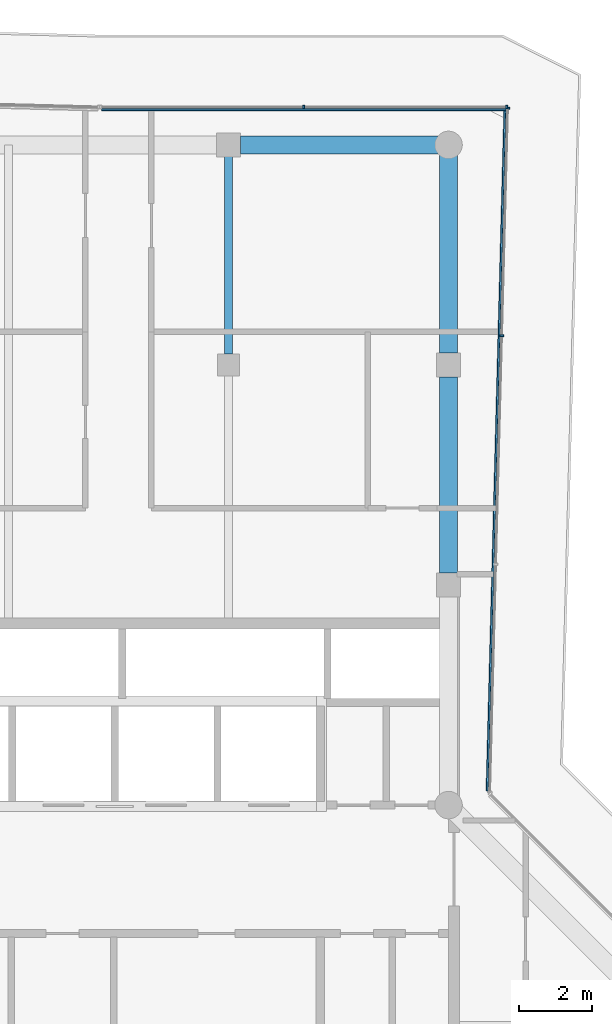
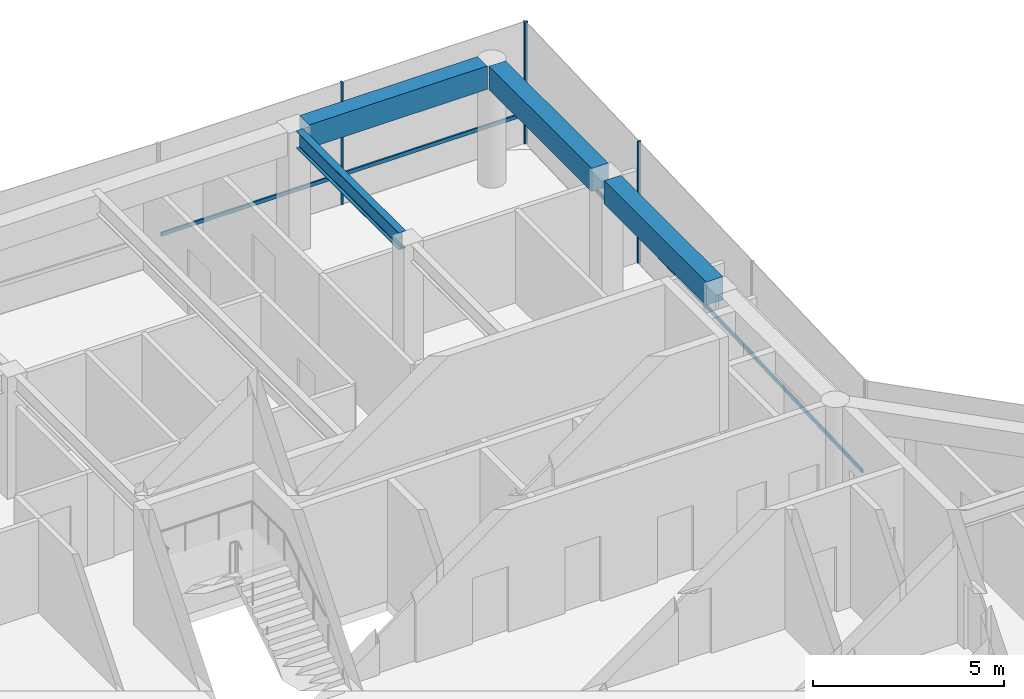
# One storey, part 9 of 15: 6 members, 4 beams, 2 elements without a shape of their own.
"""IFC4 building model written with IfcOpenShell, lengths in metres."""

from ifc_helpers import new_model, si_unit, direction, frame, origin, origin_2d, place, context, subcontext, project, spatial, rectangle, i_section, extrude, material, layer, layer_set, material_profile, profile_set, type_object, element, aggregate, save


model = new_model("IFC4")

# Units and contexts
model_context = context("Model", 3, precision=1e-05, world=origin(), true_north=direction((0.0, 1.0)))
body_context = subcontext(model_context, "Body", "Model", "MODEL_VIEW")
ifc_project = project(units=[si_unit("LENGTHUNIT", "METRE"), si_unit("AREAUNIT", "SQUARE_METRE"), si_unit("VOLUMEUNIT", "CUBIC_METRE"), si_unit("PLANEANGLEUNIT", "RADIAN"), si_unit("MASSUNIT", "GRAM", prefix="KILO")], contexts=[model_context])

# Site, building, storey
site_placement = place(None, origin())
site = spatial("IfcSite", under=ifc_project, at=site_placement, CompositionType="ELEMENT")
building_placement = place(site_placement, origin())
building = spatial("IfcBuilding", under=site, at=building_placement, Name="Welwitschia Terrace Campus", CompositionType="ELEMENT")
storey_placement = place(building_placement, frame((0.0, 0.0, 339.800048828125)))
storey = spatial("IfcBuildingStorey", under=building, at=storey_placement, Name="L76", CompositionType="ELEMENT", Elevation=339.800048828125)

# Beam
ifc_material_1 = material(Name="Steel S355", Category="steel")
ifc_material_profile_1 = material_profile(ifc_material_1, i_section(OverallWidth=0.2099609375, OverallDepth=0.550048828125, WebThickness=0.010986328125, FlangeThickness=0.01708984375, FilletRadius=0.02392578125, at=origin_2d()))
ifc_profile_set_1 = profile_set([ifc_material_profile_1], Name="Steel S355")
beam_type_1 = type_object("IfcBeamType", Name="Interior girder IPE 550", PredefinedType="BEAM", material=ifc_profile_set_1)
beam_1_placement = place(storey_placement, frame((18.0, 32.300537109375, 3.625), z_axis=(0.0, 1.0, 0.0), x_axis=(-1.0, 0.0, 0.0)))
element("IfcBeam", 1, at=beam_1_placement, inside=storey, type_object=beam_type_1, Name="Girder GB7", PredefinedType="BEAM", context=body_context, shape_type="SweptSolid", body=[
    extrude(i_section(OverallWidth=0.2099609375, OverallDepth=0.550048828125, WebThickness=0.010986328125, FlangeThickness=0.01708984375, FilletRadius=0.02392578125, at=origin_2d()), origin(), (0.0, 0.0, 1.0), 5.384033203125),
])

# Curtain wall, members
ifc_material_2 = material(Name="Bronze anodised aluminium", Category="aluminium")
ifc_layer = layer(ifc_material_2, 0.10009765625)
ifc_layer_set = layer_set([ifc_layer], Name="Bronze anodised aluminium")
curtain_wall_type = type_object("IfcCurtainWallType", Name="Curtain wall CW5 crown 6000", PredefinedType="NOTDEFINED", material=ifc_layer_set)
curtain_wall_1_placement = place(storey_placement, origin())
curtain_wall_1 = element("IfcCurtainWall", 2, at=curtain_wall_1_placement, inside=storey, type_object=curtain_wall_type, Name="CW L76.7.0", PredefinedType="NOTDEFINED")
ifc_material_3 = material(Name="Bronze anodised aluminium", Category="aluminium")
ifc_material_profile_2 = material_profile(ifc_material_3, rectangle(XDim=0.10009765625, YDim=0.050048828125, at=origin_2d()))
ifc_profile_set_2 = profile_set([ifc_material_profile_2], Name="Bronze anodised aluminium")
member_type_1 = type_object("IfcMemberType", Name="Mullion 50x100", PredefinedType="MULLION", material=ifc_profile_set_2)
member_1_placement = place(storey_placement, frame((25.45068359375, 32.79736328125, 0.0), z_axis=(0.0, 0.0, 1.0), x_axis=(-0.999657324976, 0.026176948308, 0.0)))
member_1 = element("IfcMember", 3, at=member_1_placement, type_object=member_type_1, Name="Mullion L76.7.0.2", PredefinedType="MULLION", context=body_context, shape_type="SweptSolid", body=[
    extrude(rectangle(XDim=0.10009765625, YDim=0.050048828125, at=origin_2d()), origin(), (0.0, 0.0, 1.0), 3.89990234375),
])
member_2_placement = place(storey_placement, frame((25.61328125, 39.005126953125, 0.0), z_axis=(0.0, 0.0, 1.0), x_axis=(-0.999657324976, 0.026176948308, 0.0)))
member_2 = element("IfcMember", 4, at=member_2_placement, type_object=member_type_1, Name="Mullion L76.7.0.3", PredefinedType="MULLION", context=body_context, shape_type="SweptSolid", body=[
    extrude(rectangle(XDim=0.10009765625, YDim=0.050048828125, at=origin_2d()), origin(), (0.0, 0.0, 1.0), 3.89990234375),
])

curtain_wall_2_placement = place(storey_placement, origin())
curtain_wall_2 = element("IfcCurtainWall", 5, at=curtain_wall_2_placement, inside=storey, type_object=curtain_wall_type, Name="CW L76.8.0", PredefinedType="NOTDEFINED")
member_3_placement = place(storey_placement, frame((25.5888671875, 39.030029296875, 0.0), z_axis=(0.0, 0.0, 1.0), x_axis=(0.0, -1.0, 0.0)))
member_3 = element("IfcMember", 6, at=member_3_placement, type_object=member_type_1, Name="Mullion L76.8.0.0", PredefinedType="MULLION", context=body_context, shape_type="SweptSolid", body=[
    extrude(rectangle(XDim=0.10009765625, YDim=0.050048828125, at=origin_2d()), origin(), (0.0, 0.0, 1.0), 3.89990234375),
])
member_4_placement = place(storey_placement, frame((20.052001953125, 39.030029296875, 0.0), z_axis=(0.0, 0.0, 1.0), x_axis=(0.0, -1.0, 0.0)))
member_4 = element("IfcMember", 7, at=member_4_placement, type_object=member_type_1, Name="Mullion L76.8.0.1", PredefinedType="MULLION", context=body_context, shape_type="SweptSolid", body=[
    extrude(rectangle(XDim=0.10009765625, YDim=0.050048828125, at=origin_2d()), origin(), (0.0, 0.0, 1.0), 3.89990234375),
])

# Beams
ifc_material_4 = material(Name="Concrete C40/50", Category="concrete")
ifc_material_profile_3 = material_profile(ifc_material_4, rectangle(XDim=0.5, YDim=0.75, at=origin_2d()))
ifc_profile_set_3 = profile_set([ifc_material_profile_3], Name="Concrete C40/50")
beam_type_2 = type_object("IfcBeamType", Name="Ring spandrel 500x750", PredefinedType="SPANDREL", material=ifc_profile_set_3)
beam_2_placement = place(storey_placement, frame((24.0, 26.325439453125, 3.52490234375), z_axis=(0.0, 1.0, 0.0), x_axis=(-1.0, 0.0, 0.0)))
element("IfcBeam", 8, at=beam_2_placement, inside=storey, type_object=beam_type_2, Name="Spandrel SP5", PredefinedType="SPANDREL", context=body_context, shape_type="SweptSolid", body=[
    extrude(rectangle(XDim=0.5, YDim=0.75, at=origin_2d()), origin(), (0.0, 0.0, 1.0), 5.34912109375),
])
for number, where, z_axis, x_axis, name in (
    (9, (24.0, 32.325439453125, 3.52490234375), (0.0, 1.0, 0.0), (-1.0, 0.0, 0.0), "Spandrel SP5"),
    (10, (23.719482421875, 38.0, 3.52490234375), (-1.0, 0.0, 0.0), (0.0, -1.0, 0.0), "Spandrel SP5"),
):
    element("IfcBeam", number, at=place(storey_placement, frame(where, z_axis=z_axis, x_axis=x_axis)), inside=storey, type_object=beam_type_2, Name=name, PredefinedType="SPANDREL", context=body_context, shape_type="SweptSolid", body=[
        extrude(rectangle(XDim=0.5, YDim=0.75, at=origin_2d()), origin(), (0.0, 0.0, 1.0), 5.39404296875),
    ])

# Member
ifc_material_5 = material(Name="Bronze anodised aluminium", Category="aluminium")
ifc_material_profile_4 = material_profile(ifc_material_5, rectangle(XDim=0.050048828125, YDim=0.1201171875, at=origin_2d()))
ifc_profile_set_4 = profile_set([ifc_material_profile_4], Name="Bronze anodised aluminium")
member_type_2 = type_object("IfcMemberType", Name="Transom 50x120", PredefinedType="USERDEFINED", material=ifc_profile_set_4)
member_5_placement = place(storey_placement, frame((25.050537109375, 20.38427734375, 1.0), z_axis=(0.026180374191, 0.99965723526, 0.0), x_axis=(-0.99965723526, 0.026180374191, 0.0)))
member_5 = element("IfcMember", 11, at=member_5_placement, type_object=member_type_2, Name="Transom L76.7.0", ObjectType="TRANSOM", PredefinedType="USERDEFINED", context=body_context, shape_type="SweptSolid", body=[
    extrude(rectangle(XDim=0.050048828125, YDim=0.1201171875, at=origin_2d()), origin(), (0.0, 0.0, 1.0), 18.60400390625),
])

aggregate(curtain_wall_1, [member_1, member_2, member_5])

member_6_placement = place(storey_placement, frame((25.563720703125, 38.955078125, 1.0), z_axis=(-1.0, 0.0, 0.0), x_axis=(0.0, -1.0, 0.0)))
member_6 = element("IfcMember", 12, at=member_6_placement, type_object=member_type_2, Name="Transom L76.8.0", ObjectType="TRANSOM", PredefinedType="USERDEFINED", context=body_context, shape_type="SweptSolid", body=[
    extrude(rectangle(XDim=0.050048828125, YDim=0.1201171875, at=origin_2d()), origin(), (0.0, 0.0, 1.0), 11.023681640625),
])

aggregate(curtain_wall_2, [member_3, member_4, member_6])

save(model, "model.ifc")
